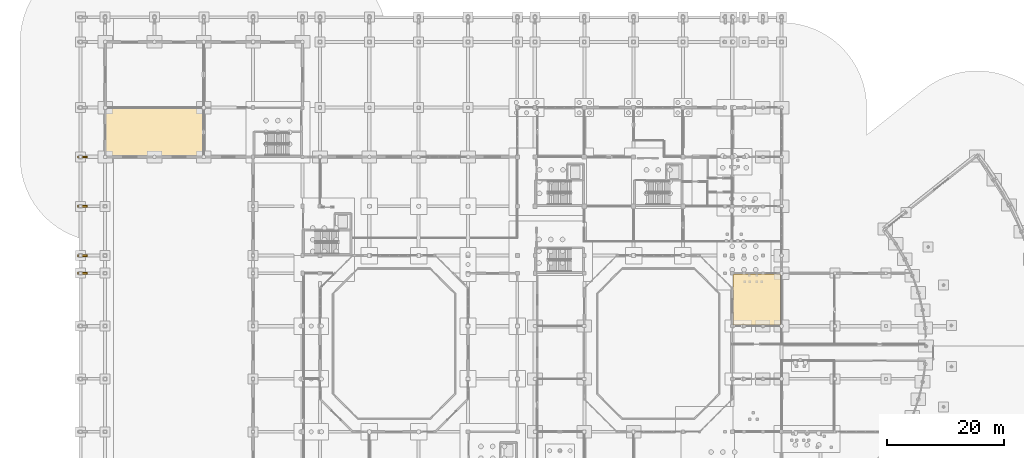
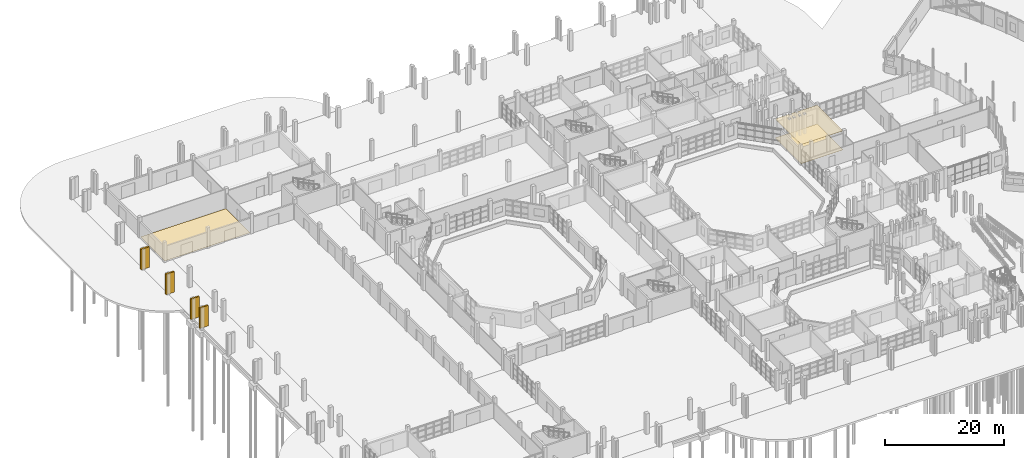
# One storey, part 80 of 88: 7 coverings.
"""IFC4 building model written with IfcOpenShell, lengths in metres."""

from ifc_helpers import new_model, si_unit, direction, frame, origin, origin_2d, place, context, subcontext, project, spatial, polyline, rectangle, outline, extrude, material, layer, layer_set, type_object, element, save


model = new_model("IFC4")

# Units and contexts
model_context = context("Model", 3, precision=1e-05, world=origin(), true_north=direction((0.0, 1.0)))
body_context = subcontext(model_context, "Body", "Model", "MODEL_VIEW")
ifc_project = project(units=[si_unit("LENGTHUNIT", "METRE"), si_unit("AREAUNIT", "SQUARE_METRE"), si_unit("VOLUMEUNIT", "CUBIC_METRE"), si_unit("PLANEANGLEUNIT", "RADIAN"), si_unit("MASSUNIT", "GRAM", prefix="KILO")], contexts=[model_context])

# Site, building, storey
site_placement = place(None, origin())
site = spatial("IfcSite", under=ifc_project, at=site_placement, CompositionType="ELEMENT")
building_placement = place(site_placement, origin())
building = spatial("IfcBuilding", under=site, at=building_placement, Name="Vanh Quang Courtyard School", CompositionType="ELEMENT")
storey_placement = place(building_placement, origin())
storey = spatial("IfcBuildingStorey", under=building, at=storey_placement, Name="L00", CompositionType="ELEMENT", Elevation=0.0)

# Coverings
ifc_material_1 = material(Name="Perforated mineral-fibre acoustic ceiling board")
ifc_layer_1 = layer(ifc_material_1, 0.02490234375)
ifc_layer_set_1 = layer_set([ifc_layer_1], Name="Perforated mineral-fibre acoustic ceiling board")
covering_type_1 = type_object("IfcCoveringType", Name="COV-CEIL-ACOUSTIC", PredefinedType="CEILING", material=ifc_layer_set_1)
covering_1_placement = place(storey_placement, frame((0.0, 0.0, 3.89501953125)))
element("IfcCovering", 1, at=covering_1_placement, inside=storey, type_object=covering_type_1, Name="Covering CV-CL1 (L00)", PredefinedType="CEILING", context=body_context, shape_type="SweptSolid", body=[
    extrude(outline(polyline([(111.139892578125, 59.550048828125), (111.138916015625, 59.550048828125), (111.137939453125, 59.55029296875), (111.13720703125, 59.55029296875), (111.13623046875, 59.55078125), (111.13525390625, 59.55126953125), (111.134521484375, 59.5517578125), (111.1337890625, 59.55224609375), (111.1328125, 59.552978515625), (111.13232421875, 59.5537109375), (111.131591796875, 59.554443359375), (111.131103515625, 59.555419921875), (111.130859375, 59.55615234375), (111.13037109375, 59.55712890625), (111.130126953125, 59.55810546875), (111.1298828125, 59.55908203125), (111.1298828125, 59.56005859375), (111.1298828125, 68.260009765625), (111.1298828125, 68.260986328125), (111.130126953125, 68.261962890625), (111.13037109375, 68.262939453125), (111.130859375, 68.263916015625), (111.131103515625, 68.2646484375), (111.131591796875, 68.265625), (111.13232421875, 68.266357421875), (111.1328125, 68.26708984375), (111.1337890625, 68.267578125), (111.134521484375, 68.268310546875), (111.13525390625, 68.268798828125), (111.13623046875, 68.269287109375), (111.13720703125, 68.26953125), (111.137939453125, 68.269775390625), (111.138916015625, 68.27001953125), (111.139892578125, 68.27001953125), (119.239990234375, 68.27001953125), (119.240966796875, 68.27001953125), (119.241943359375, 68.269775390625), (119.242919921875, 68.26953125), (119.243896484375, 68.269287109375), (119.24462890625, 68.268798828125), (119.24560546875, 68.268310546875), (119.246337890625, 68.267578125), (119.2470703125, 68.26708984375), (119.247802734375, 68.266357421875), (119.248291015625, 68.265625), (119.248779296875, 68.2646484375), (119.249267578125, 68.263916015625), (119.24951171875, 68.262939453125), (119.249755859375, 68.261962890625), (119.25, 68.260986328125), (119.25, 68.260009765625), (119.25, 59.56005859375), (119.25, 59.55908203125), (119.249755859375, 59.55810546875), (119.24951171875, 59.55712890625), (119.249267578125, 59.55615234375), (119.248779296875, 59.555419921875), (119.248291015625, 59.554443359375), (119.247802734375, 59.5537109375), (119.2470703125, 59.552978515625), (119.246337890625, 59.55224609375), (119.24560546875, 59.5517578125), (119.24462890625, 59.55126953125), (119.243896484375, 59.55078125), (119.242919921875, 59.55029296875), (119.241943359375, 59.55029296875), (119.240966796875, 59.550048828125), (119.239990234375, 59.550048828125), (111.139892578125, 59.550048828125)])), origin(), (0.0, 0.0, 1.0), 0.02490234375),
])
ifc_material_2 = material(Name="Polished cementitious terrazzo tile", Category="concrete")
ifc_layer_2 = layer(ifc_material_2, 0.02001953125)
ifc_layer_set_2 = layer_set([ifc_layer_2], Name="Polished cementitious terrazzo tile")
covering_type_2 = type_object("IfcCoveringType", Name="COV-FLR-TERRAZZO", PredefinedType="FLOORING", material=ifc_layer_set_2)
covering_2_placement = place(storey_placement, origin())
element("IfcCovering", 2, at=covering_2_placement, inside=storey, type_object=covering_type_2, Name="Covering CV-FL1 (L00)", PredefinedType="FLOORING", context=body_context, shape_type="SweptSolid", body=[
    extrude(outline(polyline([(4.330078125, 96.4599609375), (4.330078125, 96.4609375), (4.330078125, 96.4619140625), (4.330322265625, 96.462890625), (4.330810546875, 96.4638671875), (4.331298828125, 96.464599609375), (4.331787109375, 96.465576171875), (4.332275390625, 96.46630859375), (4.3330078125, 96.467041015625), (4.333740234375, 96.4677734375), (4.33447265625, 96.46826171875), (4.335205078125, 96.46875), (4.336181640625, 96.46923828125), (4.337158203125, 96.469482421875), (4.337890625, 96.4697265625), (4.339111328125, 96.469970703125), (4.340087890625, 96.469970703125), (20.860107421875, 96.469970703125), (20.861083984375, 96.469970703125), (20.862060546875, 96.4697265625), (20.86279296875, 96.469482421875), (20.86376953125, 96.46923828125), (20.86474609375, 96.46875), (20.865478515625, 96.46826171875), (20.8662109375, 96.4677734375), (20.8671875, 96.467041015625), (20.86767578125, 96.46630859375), (20.868408203125, 96.465576171875), (20.868896484375, 96.464599609375), (20.869140625, 96.4638671875), (20.86962890625, 96.462890625), (20.869873046875, 96.4619140625), (20.8701171875, 96.4609375), (20.8701171875, 96.4599609375), (20.8701171875, 88.340087890625), (20.8701171875, 88.339111328125), (20.869873046875, 88.337890625), (20.86962890625, 88.337158203125), (20.869140625, 88.336181640625), (20.868896484375, 88.335205078125), (20.868408203125, 88.33447265625), (20.86767578125, 88.333740234375), (20.8671875, 88.3330078125), (20.8662109375, 88.332275390625), (20.865478515625, 88.331787109375), (20.86474609375, 88.331298828125), (20.86376953125, 88.330810546875), (20.86279296875, 88.330322265625), (20.862060546875, 88.330078125), (20.861083984375, 88.330078125), (20.860107421875, 88.330078125), (4.340087890625, 88.330078125), (4.339111328125, 88.330078125), (4.337890625, 88.330078125), (4.337158203125, 88.330322265625), (4.336181640625, 88.330810546875), (4.335205078125, 88.331298828125), (4.33447265625, 88.331787109375), (4.333740234375, 88.332275390625), (4.3330078125, 88.3330078125), (4.332275390625, 88.333740234375), (4.331787109375, 88.33447265625), (4.331298828125, 88.335205078125), (4.330810546875, 88.336181640625), (4.330322265625, 88.337158203125), (4.330078125, 88.337890625), (4.330078125, 88.339111328125), (4.330078125, 88.340087890625), (4.330078125, 96.4599609375)])), origin(), (0.0, 0.0, 1.0), 0.02001953125),
])
covering_3_placement = place(storey_placement, origin())
element("IfcCovering", 3, at=covering_3_placement, inside=storey, type_object=covering_type_2, Name="Covering CV-FL1 (L00)", PredefinedType="FLOORING", context=body_context, shape_type="SweptSolid", body=[
    extrude(outline(polyline([(111.139892578125, 59.550048828125), (111.138916015625, 59.550048828125), (111.137939453125, 59.55029296875), (111.13720703125, 59.55029296875), (111.13623046875, 59.55078125), (111.13525390625, 59.55126953125), (111.134521484375, 59.5517578125), (111.1337890625, 59.55224609375), (111.1328125, 59.552978515625), (111.13232421875, 59.5537109375), (111.131591796875, 59.554443359375), (111.131103515625, 59.555419921875), (111.130859375, 59.55615234375), (111.13037109375, 59.55712890625), (111.130126953125, 59.55810546875), (111.1298828125, 59.55908203125), (111.1298828125, 59.56005859375), (111.1298828125, 68.260009765625), (111.1298828125, 68.260986328125), (111.130126953125, 68.261962890625), (111.13037109375, 68.262939453125), (111.130859375, 68.263916015625), (111.131103515625, 68.2646484375), (111.131591796875, 68.265625), (111.13232421875, 68.266357421875), (111.1328125, 68.26708984375), (111.1337890625, 68.267578125), (111.134521484375, 68.268310546875), (111.13525390625, 68.268798828125), (111.13623046875, 68.269287109375), (111.13720703125, 68.26953125), (111.137939453125, 68.269775390625), (111.138916015625, 68.27001953125), (111.139892578125, 68.27001953125), (119.239990234375, 68.27001953125), (119.240966796875, 68.27001953125), (119.241943359375, 68.269775390625), (119.242919921875, 68.26953125), (119.243896484375, 68.269287109375), (119.24462890625, 68.268798828125), (119.24560546875, 68.268310546875), (119.246337890625, 68.267578125), (119.2470703125, 68.26708984375), (119.247802734375, 68.266357421875), (119.248291015625, 68.265625), (119.248779296875, 68.2646484375), (119.249267578125, 68.263916015625), (119.24951171875, 68.262939453125), (119.249755859375, 68.261962890625), (119.25, 68.260986328125), (119.25, 68.260009765625), (119.25, 59.56005859375), (119.25, 59.55908203125), (119.249755859375, 59.55810546875), (119.24951171875, 59.55712890625), (119.249267578125, 59.55615234375), (119.248779296875, 59.555419921875), (119.248291015625, 59.554443359375), (119.247802734375, 59.5537109375), (119.2470703125, 59.552978515625), (119.246337890625, 59.55224609375), (119.24560546875, 59.5517578125), (119.24462890625, 59.55126953125), (119.243896484375, 59.55078125), (119.242919921875, 59.55029296875), (119.241943359375, 59.55029296875), (119.240966796875, 59.550048828125), (119.239990234375, 59.550048828125), (111.139892578125, 59.550048828125)])), origin(), (0.0, 0.0, 1.0), 0.02001953125),
])
ifc_material_3 = material(Name="Board-marked precast concrete C40/50", Category="concrete")
ifc_layer_3 = layer(ifc_material_3, 0.239990234375)
ifc_layer_set_3 = layer_set([ifc_layer_3], Name="Board-marked precast concrete C40/50")
covering_type_3 = type_object("IfcCoveringType", Name="COV-HOOD-CONC", PredefinedType="CLADDING", material=ifc_layer_set_3)
for number, where, z_axis, x_axis, name in (
    (4, (0.35009765625, 68.39990234375, 0.0), (0.0, 0.0, 1.0), (1.0, 0.0, 0.0), "Covering CH-01 (L00)"),
    (5, (0.35009765625, 71.39990234375, 0.0), (0.0, 0.0, 1.0), (1.0, 0.0, 0.0), "Covering CH-01 (L00)"),
    (6, (0.35009765625, 79.800048828125, 0.0), (0.0, 0.0, 1.0), (1.0, 0.0, 0.0), "Covering CH-01 (L00)"),
    (7, (0.35009765625, 88.199951171875, 0.0), (0.0, 0.0, 1.0), (1.0, 0.0, 0.0), "Covering CH-01 (L00)"),
):
    element("IfcCovering", number, at=place(storey_placement, frame(where, z_axis=z_axis, x_axis=x_axis)), inside=storey, type_object=covering_type_3, Name=name, PredefinedType="CLADDING", context=body_context, shape_type="SweptSolid", body=[
        extrude(rectangle(XDim=1.60009765625, YDim=0.320068359375, at=origin_2d()), origin(), (0.0, 0.0, 1.0), 4.199951171875),
    ])

save(model, "model.ifc")
